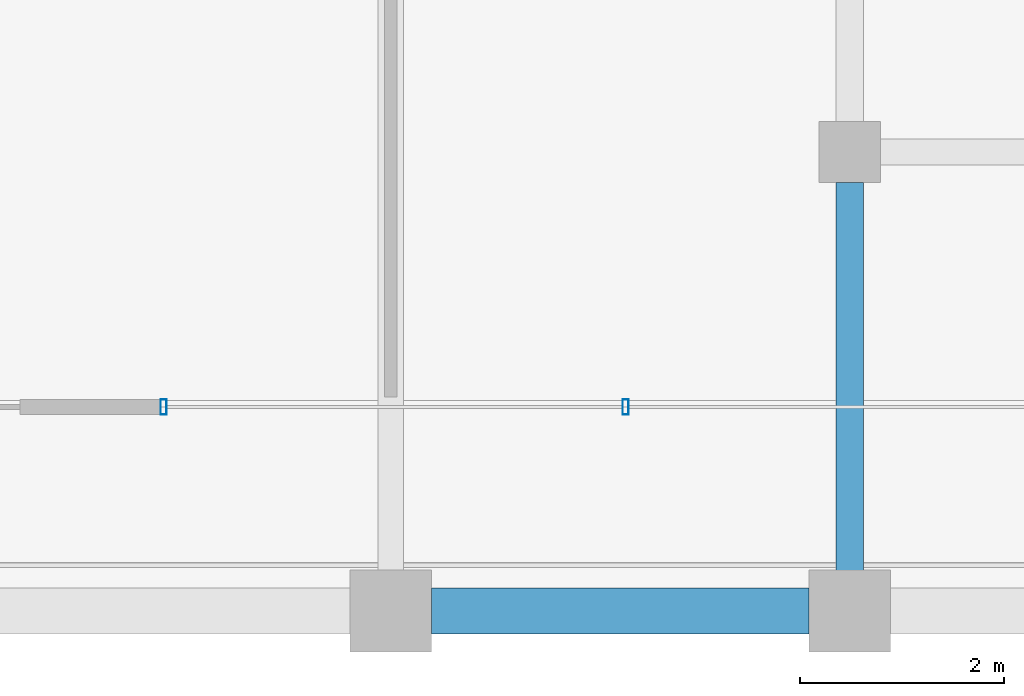
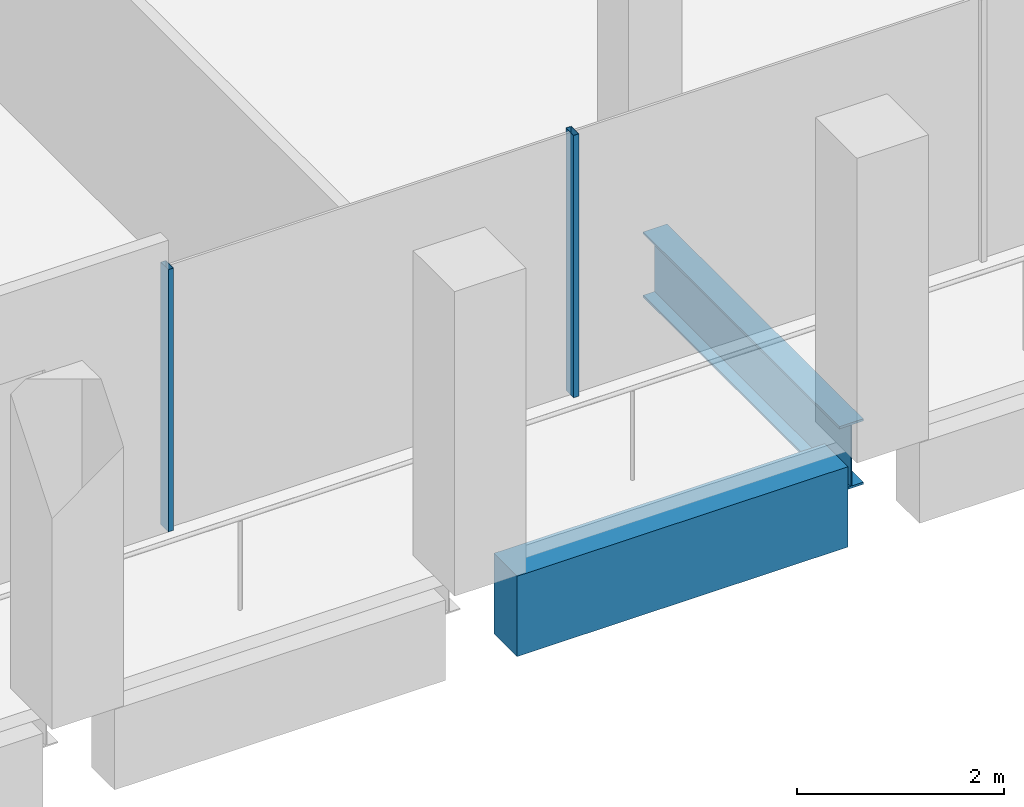
# One storey, part 9 of 30: 2 beams, 2 members, 1 element without a shape of its own.
"""IFC4 building model written with IfcOpenShell, lengths in metres."""

from ifc_helpers import new_model, si_unit, direction, frame, origin, origin_2d, place, context, subcontext, project, spatial, rectangle, hollow_rectangle, i_section, extrude, material, material_profile, profile_set, type_object, element, aggregate, save


model = new_model("IFC4")

# Units and contexts
model_context = context("Model", 3, precision=1e-05, world=origin(), true_north=direction((0.0, 1.0)))
body_context = subcontext(model_context, "Body", "Model", "MODEL_VIEW")
ifc_project = project(units=[si_unit("LENGTHUNIT", "METRE"), si_unit("AREAUNIT", "SQUARE_METRE"), si_unit("VOLUMEUNIT", "CUBIC_METRE"), si_unit("PLANEANGLEUNIT", "RADIAN"), si_unit("MASSUNIT", "GRAM", prefix="KILO")], contexts=[model_context])

# Site, building, storey
site_placement = place(None, origin())
site = spatial("IfcSite", under=ifc_project, at=site_placement, CompositionType="ELEMENT")
building_placement = place(site_placement, origin())
building = spatial("IfcBuilding", under=site, at=building_placement, Name="Altepetl Exchange Towers", CompositionType="ELEMENT")
storey_placement = place(building_placement, frame((0.0, 0.0, 238.800048828125)))
storey = spatial("IfcBuildingStorey", under=building, at=storey_placement, Name="L61", CompositionType="ELEMENT", Elevation=238.800048828125)

# Beam
ifc_material_1 = material(Name="Steel S355", Category="steel")
ifc_material_profile_1 = material_profile(ifc_material_1, i_section(OverallWidth=0.26806640625, OverallDepth=0.77392578125, WebThickness=0.015380859375, FlangeThickness=0.025390625, at=origin_2d()), Name="W30X132")
ifc_profile_set_1 = profile_set([ifc_material_profile_1], Name="Steel S355")
beam_type_1 = type_object("IfcBeamType", Name="Girder W30X132", PredefinedType="BEAM", material=ifc_profile_set_1)
beam_1_placement = place(storey_placement, frame((58.5, 31.199951171875, -0.537109375), z_axis=(0.0, -1.0, 0.0), x_axis=(1.0, 0.0, 0.0)))
element("IfcBeam", 1, at=beam_1_placement, inside=storey, type_object=beam_type_1, Name="gd:A:L61:005", PredefinedType="BEAM", context=body_context, shape_type="SweptSolid", body=[
    extrude(i_section(OverallWidth=0.26806640625, OverallDepth=0.77392578125, WebThickness=0.015380859375, FlangeThickness=0.025390625, at=origin_2d()), origin(), (0.0, 0.0, 1.0), 3.800048828125),
])

# Curtain wall, members
ifc_material_2 = material(Name="Aluminium 6063-T6 glazing", Category="aluminium")
curtain_wall_type = type_object("IfcCurtainWallType", Name="Loggia glazing system", PredefinedType="NOTDEFINED", material=ifc_material_2)
curtain_wall_placement = place(storey_placement, origin())
curtain_wall = element("IfcCurtainWall", 2, at=curtain_wall_placement, inside=storey, type_object=curtain_wall_type, Name="CW1 run", PredefinedType="NOTDEFINED")
ifc_material_3 = material(Name="Aluminium 6063-T6", Category="aluminium")
ifc_material_profile_2 = material_profile(ifc_material_3, hollow_rectangle(XDim=0.06005859375, YDim=0.14990234375, WallThickness=0.0029296875, at=origin_2d()), Name="Mullion 60x150 aluminium")
ifc_profile_set_2 = profile_set([ifc_material_profile_2], Name="Aluminium 6063-T6")
member_type = type_object("IfcMemberType", Name="Mullion 60x150 aluminium", PredefinedType="MULLION", material=ifc_profile_set_2)
member_1_placement = place(storey_placement, frame((51.77294921875, 29.0, 0.0)))
member_1 = element("IfcMember", 3, at=member_1_placement, type_object=member_type, Name="MU1 mullion", PredefinedType="MULLION", context=body_context, shape_type="SweptSolid", body=[
    extrude(hollow_rectangle(XDim=0.06005859375, YDim=0.14990234375, WallThickness=0.0029296875, at=origin_2d()), origin(), (0.0, 0.0, 1.0), 3.099853515625),
])
member_2_placement = place(storey_placement, frame((56.303466796875, 29.0, 0.0)))
member_2 = element("IfcMember", 4, at=member_2_placement, type_object=member_type, Name="MU1 mullion", PredefinedType="MULLION", context=body_context, shape_type="SweptSolid", body=[
    extrude(hollow_rectangle(XDim=0.06005859375, YDim=0.14990234375, WallThickness=0.0029296875, at=origin_2d()), origin(), (0.0, 0.0, 1.0), 3.099853515625),
])
aggregate(curtain_wall, [member_1, member_2])

# Beam
ifc_material_4 = material(Name="Concrete C50/60 precast with cantera blanca facing", Category="concrete")
ifc_material_profile_3 = material_profile(ifc_material_4, rectangle(XDim=0.449951171875, YDim=0.949951171875, at=origin_2d()), Name="450 x 950")
ifc_profile_set_3 = profile_set([ifc_material_profile_3], Name="Concrete C50/60 precast with cantera blanca facing")
beam_type_2 = type_object("IfcBeamType", Name="Spandrel beam 450x950 cantera blanca", PredefinedType="SPANDREL", material=ifc_profile_set_3)
beam_2_placement = place(storey_placement, frame((54.39990234375, 27.0, -0.625), z_axis=(1.0, 0.0, 0.0), x_axis=(0.0, 1.0, 0.0)))
element("IfcBeam", 5, at=beam_2_placement, inside=storey, type_object=beam_type_2, Name="sp:A:L61:005", PredefinedType="SPANDREL", context=body_context, shape_type="SweptSolid", body=[
    extrude(rectangle(XDim=0.449951171875, YDim=0.949951171875, at=origin_2d()), origin(), (0.0, 0.0, 1.0), 3.7001953125),
])

save(model, "model.ifc")
